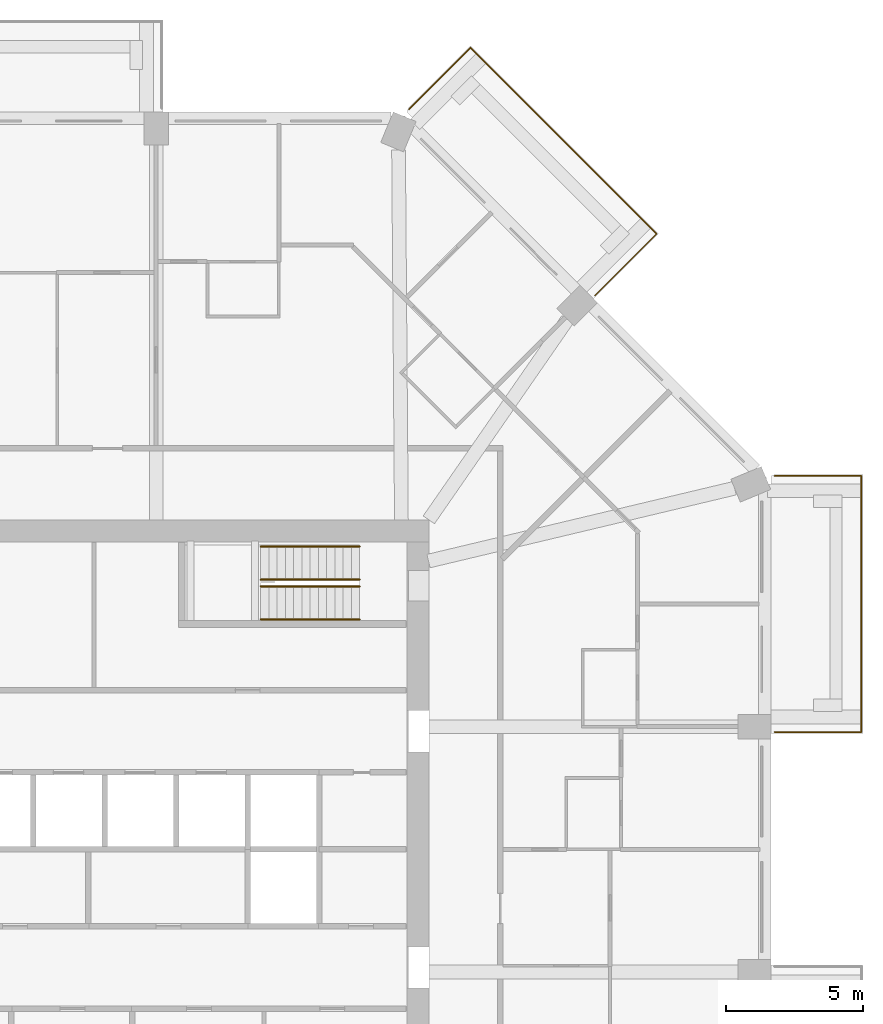
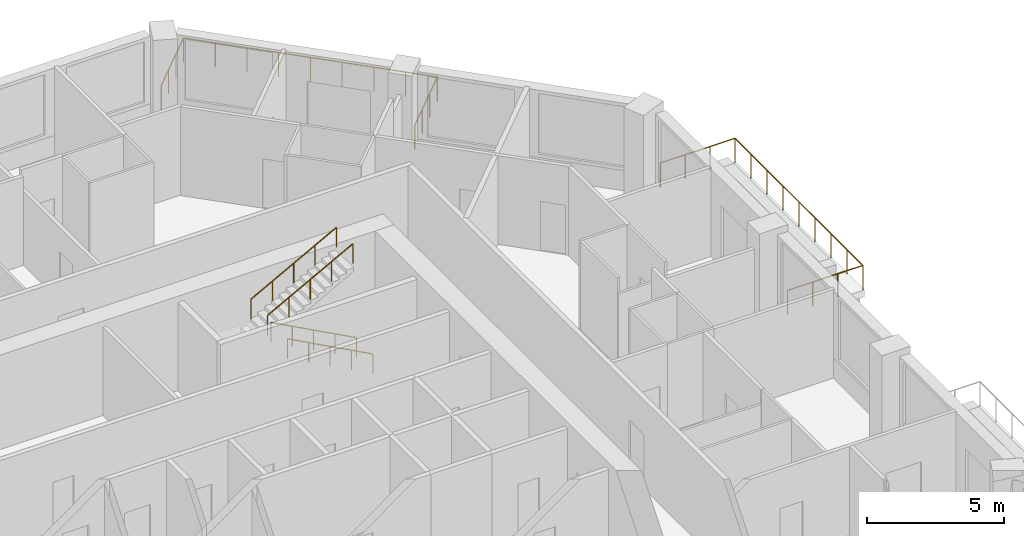
# One storey, part 13 of 13: 6 railings.
"""IFC4 building model written with IfcOpenShell, lengths in metres."""

from ifc_helpers import new_model, si_unit, direction, frame, origin, origin_2d, place, context, subcontext, project, spatial, circle, extrude, material, constituent, constituent_set, type_object, element, save


model = new_model("IFC4")

# Units and contexts
model_context = context("Model", 3, precision=1e-05, world=origin(), true_north=direction((0.0, 1.0)))
body_context = subcontext(model_context, "Body", "Model", "MODEL_VIEW")
ifc_project = project(units=[si_unit("LENGTHUNIT", "METRE"), si_unit("AREAUNIT", "SQUARE_METRE"), si_unit("VOLUMEUNIT", "CUBIC_METRE"), si_unit("PLANEANGLEUNIT", "RADIAN"), si_unit("MASSUNIT", "GRAM", prefix="KILO")], contexts=[model_context])

# Site, building, storey
site_placement = place(None, origin())
site = spatial("IfcSite", under=ifc_project, at=site_placement, CompositionType="ELEMENT")
building_placement = place(site_placement, origin())
building = spatial("IfcBuilding", under=site, at=building_placement, Name="Msitu Wima Residences", CompositionType="ELEMENT")
storey_placement = place(building_placement, frame((0.0, 0.0, 131.699951171875)))
storey = spatial("IfcBuildingStorey", under=building, at=storey_placement, Name="L30", CompositionType="ELEMENT", Elevation=131.699951171875)

# Railings
ifc_material_1 = material(Name="Steel S355", Category="steel")
ifc_constituent_1 = constituent(ifc_material_1, Name="Steel S355")
ifc_material_2 = material(Name="Weathering patina")
ifc_constituent_2 = constituent(ifc_material_2, Name="Weathering patina")
ifc_constituent_set_1 = constituent_set(constituents=[ifc_constituent_1, ifc_constituent_2], Name="Steel S355")
railing_type_1 = type_object("IfcRailingType", Name="Balcony guard GR1100", PredefinedType="GUARDRAIL", material=ifc_constituent_set_1)
railing_1_placement = place(storey_placement, frame((26.97998046875, 13.592041015625, 0.0)))
element("IfcRailing", 1, at=railing_1_placement, inside=storey, type_object=railing_type_1, Name="Balcony guard E2 L30", PredefinedType="GUARDRAIL", context=body_context, shape_type="SweptSolid", body=[
    extrude(circle(Radius=0.02392578125, at=origin_2d()), frame((0.0, 0.0, 1.076171875), z_axis=(0.923276184907, 0.384136806859, 0.0), x_axis=(-0.384136806859, 0.923276184907, 0.0)), (0.0, 0.0, 1.0), 0.0361328125),
    extrude(circle(Radius=0.02392578125, at=origin_2d()), frame((0.033447265625, 0.013916015625, 1.076171875), z_axis=(1.0, 0.0, 0.0), x_axis=(0.0, 1.0, 0.0)), (0.0, 0.0, 1.0), 3.136474609375),
    extrude(circle(Radius=0.02392578125, at=origin_2d()), frame((3.169921875, 0.013916015625, 1.076171875), z_axis=(0.0, -1.0, 0.0), x_axis=(1.0, 0.0, 0.0)), (0.0, 0.0, 1.0), 9.33740234375),
    extrude(circle(Radius=0.02392578125, at=origin_2d()), frame((3.169921875, -9.323486328125, 1.076171875), z_axis=(-1.0, 0.0, 0.0), x_axis=(0.0, -1.0, 0.0)), (0.0, 0.0, 1.0), 3.169921875),
    extrude(circle(Radius=0.02099609375, at=origin_2d()), origin(), (0.0, 0.0, 1.0), 1.052001953125),
    extrude(circle(Radius=0.02099609375, at=origin_2d()), frame((0.033447265625, 0.013916015625, 0.0)), (0.0, 0.0, 1.0), 1.052001953125),
    extrude(circle(Radius=0.02099609375, at=origin_2d()), frame((1.078857421875, 0.013916015625, 0.0)), (0.0, 0.0, 1.0), 1.052001953125),
    extrude(circle(Radius=0.02099609375, at=origin_2d()), frame((2.12451171875, 0.013916015625, 0.0)), (0.0, 0.0, 1.0), 1.052001953125),
    extrude(circle(Radius=0.02099609375, at=origin_2d()), frame((3.169921875, 0.013916015625, 0.0)), (0.0, 0.0, 1.0), 1.052001953125),
    extrude(circle(Radius=0.02099609375, at=origin_2d()), frame((3.169921875, -1.1533203125, 0.0)), (0.0, 0.0, 1.0), 1.052001953125),
    extrude(circle(Radius=0.02099609375, at=origin_2d()), frame((3.169921875, -2.3203125, 0.0)), (0.0, 0.0, 1.0), 1.052001953125),
    extrude(circle(Radius=0.02099609375, at=origin_2d()), frame((3.169921875, -3.487548828125, 0.0)), (0.0, 0.0, 1.0), 1.052001953125),
    extrude(circle(Radius=0.02099609375, at=origin_2d()), frame((3.169921875, -4.65478515625, 0.0)), (0.0, 0.0, 1.0), 1.052001953125),
    extrude(circle(Radius=0.02099609375, at=origin_2d()), frame((3.169921875, -5.822021484375, 0.0)), (0.0, 0.0, 1.0), 1.052001953125),
    extrude(circle(Radius=0.02099609375, at=origin_2d()), frame((3.169921875, -6.9892578125, 0.0)), (0.0, 0.0, 1.0), 1.052001953125),
    extrude(circle(Radius=0.02099609375, at=origin_2d()), frame((3.169921875, -8.15625, 0.0)), (0.0, 0.0, 1.0), 1.052001953125),
    extrude(circle(Radius=0.02099609375, at=origin_2d()), frame((3.169921875, -9.323486328125, 0.0)), (0.0, 0.0, 1.0), 1.052001953125),
    extrude(circle(Radius=0.02099609375, at=origin_2d()), frame((2.11328125, -9.323486328125, 0.0)), (0.0, 0.0, 1.0), 1.052001953125),
    extrude(circle(Radius=0.02099609375, at=origin_2d()), frame((1.056640625, -9.323486328125, 0.0)), (0.0, 0.0, 1.0), 1.052001953125),
    extrude(circle(Radius=0.02099609375, at=origin_2d()), frame((0.0, -9.323486328125, 0.0)), (0.0, 0.0, 1.0), 1.052001953125),
])
railing_2_placement = place(storey_placement, frame((13.684326171875, 26.941650390625, 0.0)))
element("IfcRailing", 2, at=railing_2_placement, inside=storey, type_object=railing_type_1, Name="Balcony guard NE1 L30", PredefinedType="GUARDRAIL", context=body_context, shape_type="SweptSolid", body=[
    extrude(circle(Radius=0.02392578125, at=origin_2d()), frame((0.0, 0.0, 1.076171875), z_axis=(0.38176015442, 0.92426142649, 0.0), x_axis=(-0.92426142649, 0.38176015442, 0.0)), (0.0, 0.0, 1.0), 0.036376953125),
    extrude(circle(Radius=0.02392578125, at=origin_2d()), frame((0.013916015625, 0.03369140625, 1.076171875), z_axis=(0.707106781187, 0.707106781187, 0.0), x_axis=(-0.707106781187, 0.707106781187, 0.0)), (0.0, 0.0, 1.0), 3.136474609375),
    extrude(circle(Radius=0.02392578125, at=origin_2d()), frame((2.231689453125, 2.25146484375, 1.076171875), z_axis=(0.707106781187, -0.707106781187, 0.0), x_axis=(0.707106781187, 0.707106781187, 0.0)), (0.0, 0.0, 1.0), 9.58837890625),
    extrude(circle(Radius=0.02392578125, at=origin_2d()), frame((9.01171875, -4.528564453125, 1.076171875), z_axis=(-0.707106781187, -0.707106781187, 0.0), x_axis=(0.707106781187, -0.707106781187, 0.0)), (0.0, 0.0, 1.0), 3.169921875),
    extrude(circle(Radius=0.02099609375, at=origin_2d()), origin(), (0.0, 0.0, 1.0), 1.052001953125),
    extrude(circle(Radius=0.02099609375, at=origin_2d()), frame((0.013916015625, 0.03369140625, 0.0)), (0.0, 0.0, 1.0), 1.052001953125),
    extrude(circle(Radius=0.02099609375, at=origin_2d()), frame((0.753173828125, 0.77294921875, 0.0)), (0.0, 0.0, 1.0), 1.052001953125),
    extrude(circle(Radius=0.02099609375, at=origin_2d()), frame((1.492431640625, 1.51220703125, 0.0)), (0.0, 0.0, 1.0), 1.052001953125),
    extrude(circle(Radius=0.02099609375, at=origin_2d()), frame((2.231689453125, 2.25146484375, 0.0)), (0.0, 0.0, 1.0), 1.052001953125),
    extrude(circle(Radius=0.02099609375, at=origin_2d()), frame((3.0791015625, 1.404052734375, 0.0)), (0.0, 0.0, 1.0), 1.052001953125),
    extrude(circle(Radius=0.02099609375, at=origin_2d()), frame((3.9267578125, 0.556396484375, 0.0)), (0.0, 0.0, 1.0), 1.052001953125),
    extrude(circle(Radius=0.02099609375, at=origin_2d()), frame((4.774169921875, -0.291015625, 0.0)), (0.0, 0.0, 1.0), 1.052001953125),
    extrude(circle(Radius=0.02099609375, at=origin_2d()), frame((5.62158203125, -1.138671875, 0.0)), (0.0, 0.0, 1.0), 1.052001953125),
    extrude(circle(Radius=0.02099609375, at=origin_2d()), frame((6.46923828125, -1.986083984375, 0.0)), (0.0, 0.0, 1.0), 1.052001953125),
    extrude(circle(Radius=0.02099609375, at=origin_2d()), frame((7.316650390625, -2.83349609375, 0.0)), (0.0, 0.0, 1.0), 1.052001953125),
    extrude(circle(Radius=0.02099609375, at=origin_2d()), frame((8.164306640625, -3.68115234375, 0.0)), (0.0, 0.0, 1.0), 1.052001953125),
    extrude(circle(Radius=0.02099609375, at=origin_2d()), frame((9.01171875, -4.528564453125, 0.0)), (0.0, 0.0, 1.0), 1.052001953125),
    extrude(circle(Radius=0.02099609375, at=origin_2d()), frame((8.2646484375, -5.275634765625, 0.0)), (0.0, 0.0, 1.0), 1.052001953125),
    extrude(circle(Radius=0.02099609375, at=origin_2d()), frame((7.517333984375, -6.02294921875, 0.0)), (0.0, 0.0, 1.0), 1.052001953125),
    extrude(circle(Radius=0.02099609375, at=origin_2d()), frame((6.770263671875, -6.77001953125, 0.0)), (0.0, 0.0, 1.0), 1.052001953125),
])
ifc_constituent_3 = constituent(ifc_material_1, Name="Steel S355")
ifc_material_3 = material(Name="Black powder coating")
ifc_constituent_4 = constituent(ifc_material_3, Name="Black powder coating")
ifc_constituent_set_2 = constituent_set(constituents=[ifc_constituent_3, ifc_constituent_4], Name="Steel S355")
railing_type_2 = type_object("IfcRailingType", Name="Stair handrail HR1", PredefinedType="HANDRAIL", material=ifc_constituent_set_2)
for number, where, name in (
    (3, (11.875, 8.375, 0.16162109375), "Stair 3 handrail"),
    (4, (11.875, 9.574951171875, 0.16162109375), "Stair 3 handrail"),
):
    element("IfcRailing", number, at=place(storey_placement, frame(where)), inside=storey, type_object=railing_type_2, Name=name, PredefinedType="HANDRAIL", context=body_context, shape_type="SweptSolid", body=[
        extrude(circle(Radius=0.02392578125, at=origin_2d()), frame((0.0, 0.0, 0.8759765625), z_axis=(-0.880474934443, 0.0, 0.474092701714), x_axis=(0.0, -1.0, 0.0)), (0.0, 0.0, 1.0), 4.0888671875),
        extrude(circle(Radius=0.02099609375, at=origin_2d()), origin(), (0.0, 0.0, 1.0), 0.851806640625),
        extrude(circle(Radius=0.02099609375, at=origin_2d()), frame((-0.89990234375, 0.0, 0.484619140625)), (0.0, 0.0, 1.0), 0.851806640625),
        extrude(circle(Radius=0.02099609375, at=origin_2d()), frame((-1.800048828125, 0.0, 0.96923828125)), (0.0, 0.0, 1.0), 0.851806640625),
        extrude(circle(Radius=0.02099609375, at=origin_2d()), frame((-2.7001953125, 0.0, 1.453857421875)), (0.0, 0.0, 1.0), 0.851806640625),
        extrude(circle(Radius=0.02099609375, at=origin_2d()), frame((-3.60009765625, 0.0, 1.9384765625)), (0.0, 0.0, 1.0), 0.851806640625),
    ])
for number, where, name in (
    (5, (8.27490234375, 9.824951171875, 2.261474609375), "Stair 3 handrail"),
    (6, (8.27490234375, 11.02490234375, 2.261474609375), "Stair 3 handrail"),
):
    element("IfcRailing", number, at=place(storey_placement, frame(where)), inside=storey, type_object=railing_type_2, Name=name, PredefinedType="HANDRAIL", context=body_context, shape_type="SweptSolid", body=[
        extrude(circle(Radius=0.02392578125, at=origin_2d()), frame((0.0, 0.0, 0.8759765625), z_axis=(0.880474934443, 0.0, 0.474092701714), x_axis=(0.0, 1.0, 0.0)), (0.0, 0.0, 1.0), 4.0888671875),
        extrude(circle(Radius=0.02099609375, at=origin_2d()), origin(), (0.0, 0.0, 1.0), 0.851806640625),
        extrude(circle(Radius=0.02099609375, at=origin_2d()), frame((0.89990234375, 0.0, 0.484619140625)), (0.0, 0.0, 1.0), 0.851806640625),
        extrude(circle(Radius=0.02099609375, at=origin_2d()), frame((1.800048828125, 0.0, 0.96923828125)), (0.0, 0.0, 1.0), 0.851806640625),
        extrude(circle(Radius=0.02099609375, at=origin_2d()), frame((2.7001953125, 0.0, 1.453857421875)), (0.0, 0.0, 1.0), 0.851806640625),
        extrude(circle(Radius=0.02099609375, at=origin_2d()), frame((3.60009765625, 0.0, 1.9384765625)), (0.0, 0.0, 1.0), 0.851806640625),
    ])

save(model, "model.ifc")
